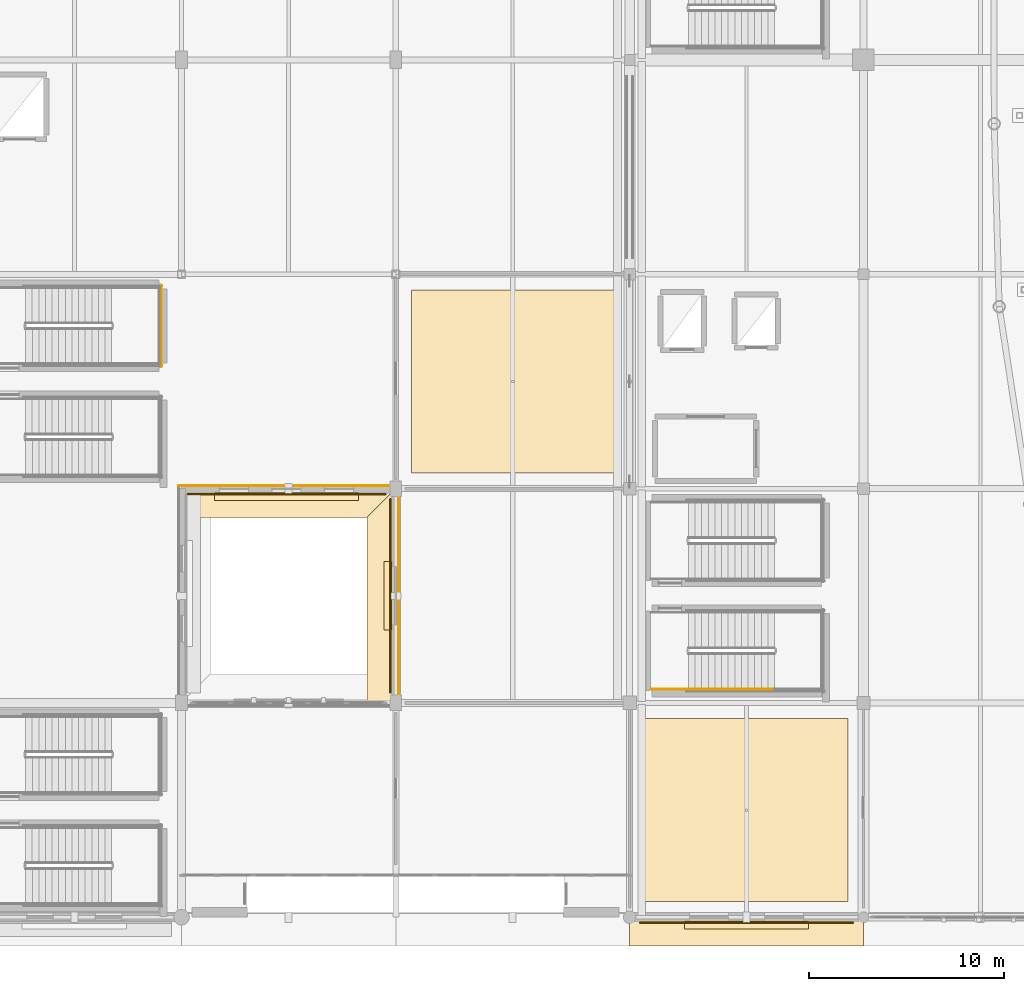
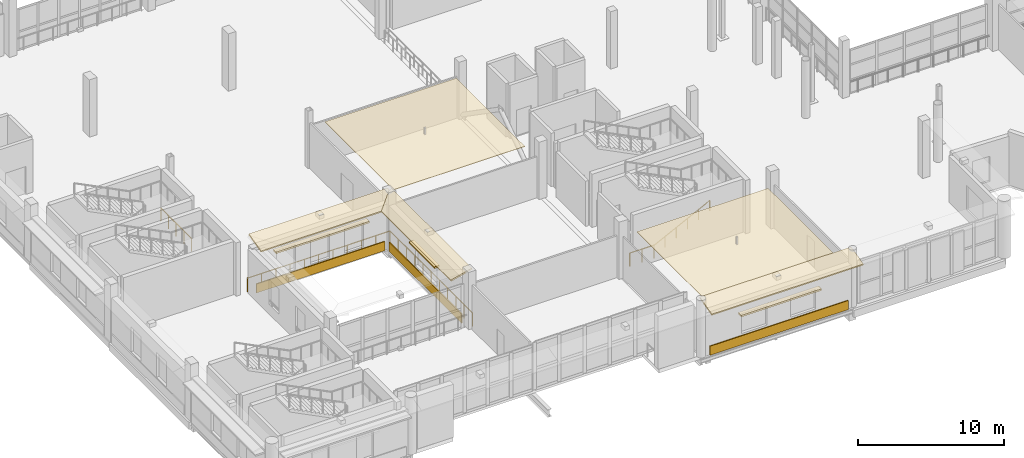
# One storey, part 119 of 143: 11 coverings, 5 railings.
"""IFC4 building model written with IfcOpenShell, lengths in metres."""

from ifc_helpers import new_model, si_unit, direction, frame, origin, origin_2d, place, context, subcontext, project, spatial, polyline, rectangle, circle, outline, extrude, material, layer, layer_set, type_object, element, save


model = new_model("IFC4")

# Units and contexts
model_context = context("Model", 3, precision=1e-05, world=origin(), true_north=direction((0.0, 1.0)))
body_context = subcontext(model_context, "Body", "Model", "MODEL_VIEW")
ifc_project = project(units=[si_unit("LENGTHUNIT", "METRE"), si_unit("AREAUNIT", "SQUARE_METRE"), si_unit("VOLUMEUNIT", "CUBIC_METRE"), si_unit("PLANEANGLEUNIT", "RADIAN"), si_unit("MASSUNIT", "GRAM", prefix="KILO")], contexts=[model_context])

# Site, building, storey
site_placement = place(None, origin())
site = spatial("IfcSite", under=ifc_project, at=site_placement, CompositionType="ELEMENT")
building_placement = place(site_placement, origin())
building = spatial("IfcBuilding", under=site, at=building_placement, Name="Luwafu Chhajja Arena", CompositionType="ELEMENT")
storey_placement = place(building_placement, frame((0.0, 0.0, 5.39990234375)))
storey = spatial("IfcBuildingStorey", under=building, at=storey_placement, Name="L01", CompositionType="ELEMENT", Elevation=5.39990234375)

# Railings
ifc_material_1 = material(Name="Stainless steel balustrade", Category="steel")
railing_type_1 = type_object("IfcRailingType", Name="Atrium Void Glazed Balustrade 1150", PredefinedType="BALUSTRADE", material=ifc_material_1)
railing_1_placement = place(storey_placement, frame((22.14990234375, 10.85009765625, 0.0)))
element("IfcRailing", 1, at=railing_1_placement, inside=storey, type_object=railing_type_1, Name="L01 Pishtaq Atrium Void Balustrade 0021", PredefinedType="BALUSTRADE", context=body_context, shape_type="SweptSolid", body=[
    extrude(circle(Radius=0.02392578125, at=origin_2d()), frame((0.0, 0.0, 1.1259765625), z_axis=(0.0, 1.0, 0.0), x_axis=(-1.0, 0.0, 0.0)), (0.0, 0.0, 1.0), 11.2998046875),
    extrude(circle(Radius=0.02099609375, at=origin_2d()), origin(), (0.0, 0.0, 1.0), 1.101806640625),
    extrude(circle(Radius=0.02099609375, at=origin_2d()), frame((0.0, 1.1298828125, 0.0)), (0.0, 0.0, 1.0), 1.101806640625),
    extrude(circle(Radius=0.02099609375, at=origin_2d()), frame((0.0, 2.260009765625, 0.0)), (0.0, 0.0, 1.0), 1.101806640625),
    extrude(circle(Radius=0.02099609375, at=origin_2d()), frame((0.0, 3.389892578125, 0.0)), (0.0, 0.0, 1.0), 1.101806640625),
    extrude(circle(Radius=0.02099609375, at=origin_2d()), frame((0.0, 4.52001953125, 0.0)), (0.0, 0.0, 1.0), 1.101806640625),
    extrude(circle(Radius=0.02099609375, at=origin_2d()), frame((0.0, 5.64990234375, 0.0)), (0.0, 0.0, 1.0), 1.101806640625),
    extrude(circle(Radius=0.02099609375, at=origin_2d()), frame((0.0, 6.77978515625, 0.0)), (0.0, 0.0, 1.0), 1.101806640625),
    extrude(circle(Radius=0.02099609375, at=origin_2d()), frame((0.0, 7.909912109375, 0.0)), (0.0, 0.0, 1.0), 1.101806640625),
    extrude(circle(Radius=0.02099609375, at=origin_2d()), frame((0.0, 9.039794921875, 0.0)), (0.0, 0.0, 1.0), 1.101806640625),
    extrude(circle(Radius=0.02099609375, at=origin_2d()), frame((0.0, 10.169921875, 0.0)), (0.0, 0.0, 1.0), 1.101806640625),
    extrude(circle(Radius=0.02099609375, at=origin_2d()), frame((0.0, 11.2998046875, 0.0)), (0.0, 0.0, 1.0), 1.101806640625),
])
railing_2_placement = place(storey_placement, frame((22.14990234375, 22.14990234375, 0.0)))
element("IfcRailing", 2, at=railing_2_placement, inside=storey, type_object=railing_type_1, Name="L01 Pishtaq Atrium Void Balustrade 0022", PredefinedType="BALUSTRADE", context=body_context, shape_type="SweptSolid", body=[
    extrude(circle(Radius=0.02392578125, at=origin_2d()), frame((0.0, 0.0, 1.1259765625), z_axis=(-1.0, 0.0, 0.0), x_axis=(0.0, -1.0, 0.0)), (0.0, 0.0, 1.0), 11.2998046875),
    extrude(circle(Radius=0.02099609375, at=origin_2d()), origin(), (0.0, 0.0, 1.0), 1.101806640625),
    extrude(circle(Radius=0.02099609375, at=origin_2d()), frame((-1.1298828125, 0.0, 0.0)), (0.0, 0.0, 1.0), 1.101806640625),
    extrude(circle(Radius=0.02099609375, at=origin_2d()), frame((-2.260009765625, 0.0, 0.0)), (0.0, 0.0, 1.0), 1.101806640625),
    extrude(circle(Radius=0.02099609375, at=origin_2d()), frame((-3.389892578125, 0.0, 0.0)), (0.0, 0.0, 1.0), 1.101806640625),
    extrude(circle(Radius=0.02099609375, at=origin_2d()), frame((-4.52001953125, 0.0, 0.0)), (0.0, 0.0, 1.0), 1.101806640625),
    extrude(circle(Radius=0.02099609375, at=origin_2d()), frame((-5.64990234375, 0.0, 0.0)), (0.0, 0.0, 1.0), 1.101806640625),
    extrude(circle(Radius=0.02099609375, at=origin_2d()), frame((-6.77978515625, 0.0, 0.0)), (0.0, 0.0, 1.0), 1.101806640625),
    extrude(circle(Radius=0.02099609375, at=origin_2d()), frame((-7.909912109375, 0.0, 0.0)), (0.0, 0.0, 1.0), 1.101806640625),
    extrude(circle(Radius=0.02099609375, at=origin_2d()), frame((-9.039794921875, 0.0, 0.0)), (0.0, 0.0, 1.0), 1.101806640625),
    extrude(circle(Radius=0.02099609375, at=origin_2d()), frame((-10.169921875, 0.0, 0.0)), (0.0, 0.0, 1.0), 1.101806640625),
    extrude(circle(Radius=0.02099609375, at=origin_2d()), frame((-11.2998046875, 0.0, 0.0)), (0.0, 0.0, 1.0), 1.101806640625),
])

# Coverings
ifc_material_2 = material(Name="Red laterite sandstone cladding", Category="masonry")
ifc_layer_1 = layer(ifc_material_2, 0.074951171875, Name="Red laterite sandstone cladding")
ifc_layer_set_1 = layer_set([ifc_layer_1], Name="Red laterite sandstone cladding")
covering_type_1 = type_object("IfcCoveringType", Name="Dressed Red-Laterite Sandstone Cladding", PredefinedType="CLADDING", material=ifc_layer_set_1)
covering_1_placement = place(storey_placement, frame((11.0, 22.199951171875, 4.760009765625), z_axis=(0.0, -0.242502450825, 0.970150793096), x_axis=(1.0, 0.0, 0.0)))
element("IfcCovering", 3, at=covering_1_placement, inside=storey, type_object=covering_type_1, Name="L01 Continuous Sloped Sandstone Chhajja Eave 0074", PredefinedType="CLADDING", context=body_context, shape_type="SweptSolid", body=[
    extrude(outline(polyline([(0.0, 0.0), (11.0, 0.0), (11.0, -1.731619097341133), (0.0, -1.731619097341133), (0.0, 0.0)])), origin(), (0.0, 0.0, -1.0), 0.1298828125),
])
covering_2_placement = place(storey_placement, frame((16.389892578125, 21.72802734375, 0.0), z_axis=(0.0, 0.0, 1.0), x_axis=(1.0, 0.0, 0.0)))
element("IfcCovering", 4, at=covering_2_placement, inside=storey, type_object=covering_type_1, Name="L01 Red-Laterite Sandstone Plinth Cladding 011", PredefinedType="CLADDING", context=body_context, shape_type="SweptSolid", body=[
    extrude(rectangle(XDim=10.179931640625, YDim=0.0849609375, at=origin_2d()), origin(), (0.0, 0.0, 1.0), 0.760009765625),
])
covering_3_placement = place(storey_placement, frame((16.389892578125, 21.60009765625, 2.97998046875), z_axis=(0.0, 0.0, 1.0), x_axis=(1.0, 0.0, 0.0)))
element("IfcCovering", 5, at=covering_3_placement, inside=storey, type_object=covering_type_1, Name="L01 Mughal Sandstone Window Chhajja Hood 0011", PredefinedType="CLADDING", context=body_context, shape_type="SweptSolid", body=[
    extrude(rectangle(XDim=7.389892578125, YDim=0.419921875, at=origin_2d()), origin(), (0.0, 0.0, 1.0), 0.139892578125),
])
covering_4_placement = place(storey_placement, frame((22.199951171875, 11.0, 4.760009765625), z_axis=(-0.242502450825, 0.0, 0.970150793096), x_axis=(0.0, 1.0, 0.0)))
element("IfcCovering", 6, at=covering_4_placement, inside=storey, type_object=covering_type_1, Name="L01 Continuous Sloped Sandstone Chhajja Eave 0079", PredefinedType="CLADDING", context=body_context, shape_type="SweptSolid", body=[
    extrude(outline(polyline([(0.0, 0.0), (11.0, 0.0), (11.0, 1.731619097341133), (0.0, 1.731619097341133), (0.0, 0.0)])), origin(), (0.0, 0.0, -1.0), 0.1298828125),
])
covering_5_placement = place(storey_placement, frame((21.72802734375, 16.5, 0.0), z_axis=(0.0, 0.0, 1.0), x_axis=(0.0, 1.0, 0.0)))
element("IfcCovering", 7, at=covering_5_placement, inside=storey, type_object=covering_type_1, Name="L01 Red-Laterite Sandstone Plinth Cladding 013", PredefinedType="CLADDING", context=body_context, shape_type="SweptSolid", body=[
    extrude(rectangle(XDim=9.9599609375, YDim=0.0849609375, at=origin_2d()), origin(), (0.0, 0.0, 1.0), 0.760009765625),
])
covering_6_placement = place(storey_placement, frame((21.60009765625, 16.5, 2.72998046875), z_axis=(0.0, 0.0, 1.0), x_axis=(0.0, 1.0, 0.0)))
element("IfcCovering", 8, at=covering_6_placement, inside=storey, type_object=covering_type_1, Name="L01 Mughal Sandstone Window Chhajja Hood 0013", PredefinedType="CLADDING", context=body_context, shape_type="SweptSolid", body=[
    extrude(rectangle(XDim=3.5, YDim=0.419921875, at=origin_2d()), origin(), (0.0, 0.0, 1.0), 0.139892578125),
])
covering_7_placement = place(storey_placement, frame((34.0, 0.199951171875, 4.760009765625), z_axis=(0.0, -0.242502450825, 0.970150793096), x_axis=(1.0, 0.0, 0.0)))
element("IfcCovering", 9, at=covering_7_placement, inside=storey, type_object=covering_type_1, Name="L01 Continuous Sloped Sandstone Chhajja Eave 0083", PredefinedType="CLADDING", context=body_context, shape_type="SweptSolid", body=[
    extrude(outline(polyline([(0.0, 0.0), (12.0, 0.0), (12.0, -1.731619097341133), (0.0, -1.731619097341133), (0.0, 0.0)])), origin(), (0.0, 0.0, -1.0), 0.1298828125),
])
covering_8_placement = place(storey_placement, frame((40.0, -0.27197265625, 0.0), z_axis=(0.0, 0.0, 1.0), x_axis=(1.0, 0.0, 0.0)))
element("IfcCovering", 10, at=covering_8_placement, inside=storey, type_object=covering_type_1, Name="L01 Red-Laterite Sandstone Plinth Cladding 016", PredefinedType="CLADDING", context=body_context, shape_type="SweptSolid", body=[
    extrude(rectangle(XDim=10.9599609375, YDim=0.0849609375, at=origin_2d()), origin(), (0.0, 0.0, 1.0), 0.760009765625),
])
covering_9_placement = place(storey_placement, frame((40.0, -0.39990234375, 2.580078125), z_axis=(0.0, 0.0, 1.0), x_axis=(1.0, 0.0, 0.0)))
element("IfcCovering", 11, at=covering_9_placement, inside=storey, type_object=covering_type_1, Name="L01 Mughal Sandstone Window Chhajja Hood 0016", PredefinedType="CLADDING", context=body_context, shape_type="SweptSolid", body=[
    extrude(rectangle(XDim=6.353515625, YDim=0.419921875, at=origin_2d()), origin(), (0.0, 0.0, 1.0), 0.139892578125),
])
ifc_material_3 = material(Name="Acoustic gypsum ceiling board")
ifc_layer_2 = layer(ifc_material_3, 0.0400390625, Name="Acoustic gypsum ceiling board")
ifc_layer_set_2 = layer_set([ifc_layer_2], Name="Acoustic gypsum ceiling board")
covering_type_2 = type_object("IfcCoveringType", Name="Perforated Acoustic Baffle Ceiling", PredefinedType="CEILING", material=ifc_layer_set_2)
covering_10_placement = place(storey_placement, frame((0.0, 0.0, 3.916015625)))
element("IfcCovering", 12, at=covering_10_placement, inside=storey, type_object=covering_type_2, Name="L01 Acoustic Baffle Ceiling 026", PredefinedType="CEILING", context=body_context, shape_type="SweptSolid", body=[
    extrude(outline(polyline([(22.800048828125, 22.800048828125), (33.199951171875, 22.800048828125), (33.199951171875, 32.199951171875), (22.800048828125, 32.199951171875), (22.800048828125, 22.800048828125)])), origin(), (0.0, 0.0, 1.0), 0.0400390625),
])
covering_11_placement = place(storey_placement, frame((0.0, 0.0, 3.843017578125)))
element("IfcCovering", 13, at=covering_11_placement, inside=storey, type_object=covering_type_2, Name="L01 Acoustic Baffle Ceiling 027", PredefinedType="CEILING", context=body_context, shape_type="SweptSolid", body=[
    extrude(outline(polyline([(34.800048828125, 0.800048828125), (45.199951171875, 0.800048828125), (45.199951171875, 10.199951171875), (34.800048828125, 10.199951171875), (34.800048828125, 0.800048828125)])), origin(), (0.0, 0.0, 1.0), 0.0400390625),
])

# Railings
ifc_material_4 = material(Name="Stainless steel handrail", Category="steel")
railing_type_2 = type_object("IfcRailingType", Name="Stair Pitch Wall Handrail 920", PredefinedType="HANDRAIL", material=ifc_material_4)
railing_3_placement = place(storey_placement, frame((37.02001953125, 11.699951171875, 0.171630859375)))
element("IfcRailing", 14, at=railing_3_placement, inside=storey, type_object=railing_type_2, Name="L01 ST-01 stair handrail 1", PredefinedType="HANDRAIL", context=body_context, shape_type="SweptSolid", body=[
    extrude(circle(Radius=0.02392578125, at=origin_2d()), frame((0.0, 0.0, 0.8759765625), z_axis=(0.89292277971, 0.0, 0.450209850486), x_axis=(0.0, 1.0, 0.0)), (0.0, 0.0, 1.0), 4.949951171875),
    extrude(circle(Radius=0.02099609375, at=origin_2d()), origin(), (0.0, 0.0, 1.0), 0.851806640625),
    extrude(circle(Radius=0.02099609375, at=origin_2d()), frame((0.884033203125, 0.0, 0.44580078125)), (0.0, 0.0, 1.0), 0.851806640625),
    extrude(circle(Radius=0.02099609375, at=origin_2d()), frame((1.76806640625, 0.0, 0.891357421875)), (0.0, 0.0, 1.0), 0.851806640625),
    extrude(circle(Radius=0.02099609375, at=origin_2d()), frame((2.65185546875, 0.0, 1.337158203125)), (0.0, 0.0, 1.0), 0.851806640625),
    extrude(circle(Radius=0.02099609375, at=origin_2d()), frame((3.535888671875, 0.0, 1.78271484375)), (0.0, 0.0, 1.0), 0.851806640625),
    extrude(circle(Radius=0.02099609375, at=origin_2d()), frame((4.419921875, 0.0, 2.228515625)), (0.0, 0.0, 1.0), 0.851806640625),
])
railing_type_3 = type_object("IfcRailingType", Name="Stair and Terrace Guard Balustrade 1100", PredefinedType="BALUSTRADE", material=ifc_material_1)
railing_4_placement = place(storey_placement, frame((35.10009765625, 11.699951171875, 0.0)))
element("IfcRailing", 15, at=railing_4_placement, inside=storey, type_object=railing_type_3, Name="L01 ST-01 stair guard 8", PredefinedType="BALUSTRADE", context=body_context, shape_type="SweptSolid", body=[
    extrude(circle(Radius=0.02392578125, at=origin_2d()), frame((0.0, 0.0, 1.076171875), z_axis=(1.0, 0.0, 0.0), x_axis=(0.0, 1.0, 0.0)), (0.0, 0.0, 1.0), 1.919921875),
    extrude(circle(Radius=0.02099609375, at=origin_2d()), origin(), (0.0, 0.0, 1.0), 1.052001953125),
    extrude(circle(Radius=0.02099609375, at=origin_2d()), frame((0.9599609375, 0.0, 0.0)), (0.0, 0.0, 1.0), 1.052001953125),
    extrude(circle(Radius=0.02099609375, at=origin_2d()), frame((1.919921875, 0.0, 0.0)), (0.0, 0.0, 1.0), 1.052001953125),
])
railing_5_placement = place(storey_placement, frame((9.949951171875, 28.25, 0.0)))
element("IfcRailing", 16, at=railing_5_placement, inside=storey, type_object=railing_type_3, Name="L01 ST-14 stair guard 12", PredefinedType="BALUSTRADE", context=body_context, shape_type="SweptSolid", body=[
    extrude(circle(Radius=0.02392578125, at=origin_2d()), frame((0.0, 0.0, 1.076171875), z_axis=(0.0, 1.0, 0.0), x_axis=(-1.0, 0.0, 0.0)), (0.0, 0.0, 1.0), 4.199951171875),
    extrude(circle(Radius=0.02099609375, at=origin_2d()), origin(), (0.0, 0.0, 1.0), 1.052001953125),
    extrude(circle(Radius=0.02099609375, at=origin_2d()), frame((0.0, 1.050048828125, 0.0)), (0.0, 0.0, 1.0), 1.052001953125),
    extrude(circle(Radius=0.02099609375, at=origin_2d()), frame((0.0, 2.10009765625, 0.0)), (0.0, 0.0, 1.0), 1.052001953125),
    extrude(circle(Radius=0.02099609375, at=origin_2d()), frame((0.0, 3.14990234375, 0.0)), (0.0, 0.0, 1.0), 1.052001953125),
    extrude(circle(Radius=0.02099609375, at=origin_2d()), frame((0.0, 4.199951171875, 0.0)), (0.0, 0.0, 1.0), 1.052001953125),
])

save(model, "model.ifc")
